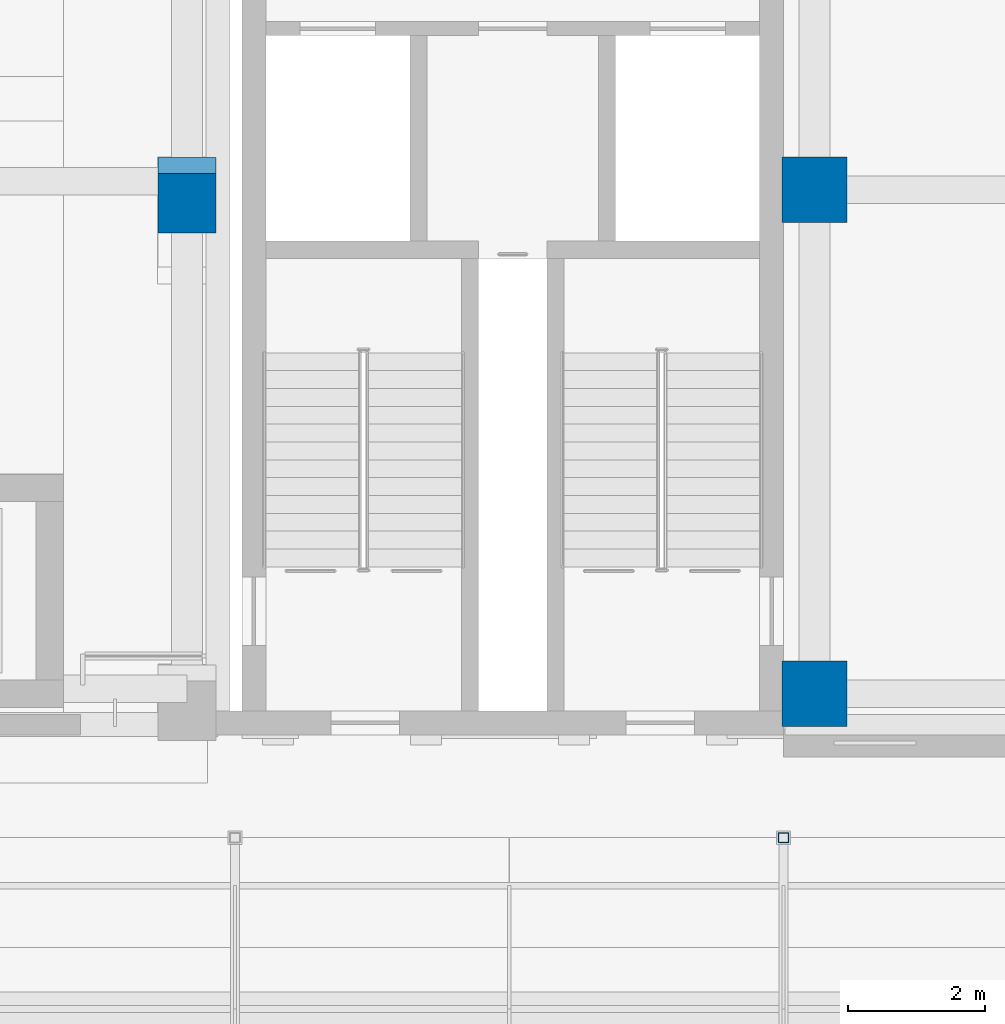
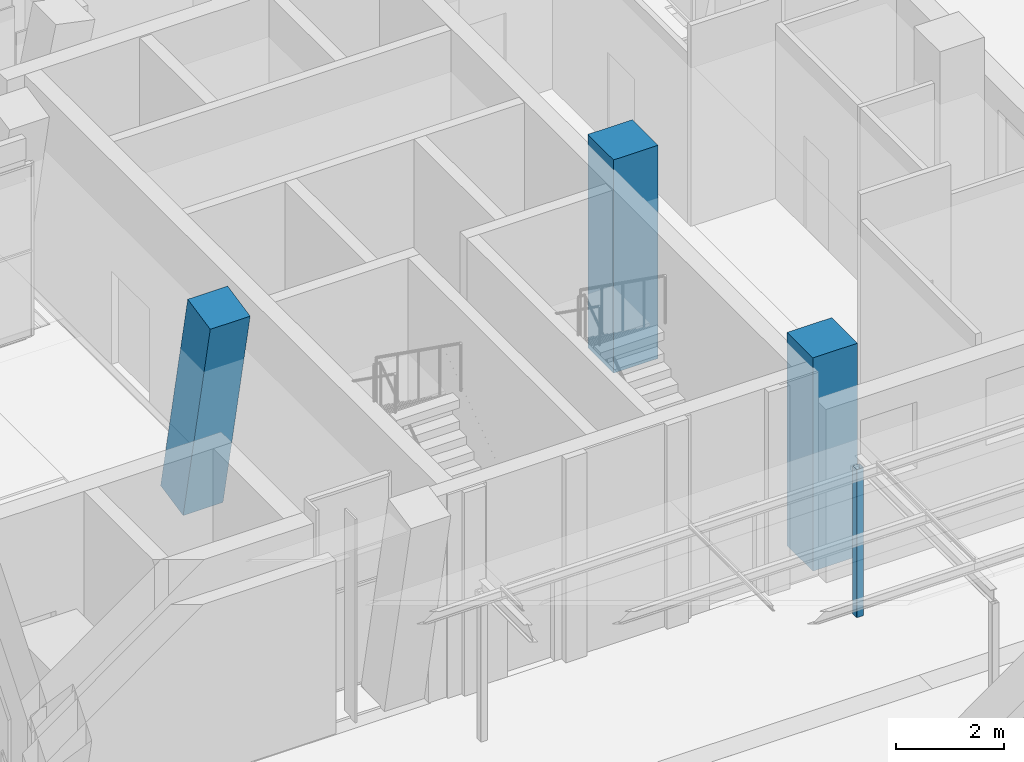
# One storey, part 18 of 144: 4 columns.
"""IFC4 building model written with IfcOpenShell, lengths in metres."""

from ifc_helpers import new_model, si_unit, direction, frame, origin, origin_2d, place, context, subcontext, project, spatial, rectangle, hollow_rectangle, extrude, material, material_profile, profile_set, type_object, element, save


model = new_model("IFC4")

# Units and contexts
model_context = context("Model", 3, precision=1e-05, world=origin(), true_north=direction((0.0, 1.0)))
body_context = subcontext(model_context, "Body", "Model", "MODEL_VIEW")
ifc_project = project(units=[si_unit("LENGTHUNIT", "METRE"), si_unit("AREAUNIT", "SQUARE_METRE"), si_unit("VOLUMEUNIT", "CUBIC_METRE"), si_unit("PLANEANGLEUNIT", "RADIAN"), si_unit("MASSUNIT", "GRAM", prefix="KILO")], contexts=[model_context])

# Site, building, storey
site_placement = place(None, origin())
site = spatial("IfcSite", under=ifc_project, at=site_placement, CompositionType="ELEMENT")
building_placement = place(site_placement, origin())
building = spatial("IfcBuilding", under=site, at=building_placement, Name="Lantern Court Media Centre", CompositionType="ELEMENT")
storey_placement = place(building_placement, origin())
storey = spatial("IfcBuildingStorey", under=building, at=storey_placement, Name="L00", CompositionType="ELEMENT", Elevation=0.0)

# Columns
ifc_material_1 = material(Name="Steel S355J2 (EN 10025-2)", Category="steel")
ifc_material_profile_1 = material_profile(ifc_material_1, hollow_rectangle(XDim=0.14990234375, YDim=0.14990234375, WallThickness=0.00634765625, InnerFilletRadius=0.00634765625, OuterFilletRadius=0.009521484375, at=origin_2d()), Name="Cloister canopy post SHS 150x6.3")
ifc_profile_set_1 = profile_set([ifc_material_profile_1], Name="Steel S355J2 (EN 10025-2)")
column_type_1 = type_object("IfcColumnType", Name="Cloister canopy post SHS 150x6.3", PredefinedType="COLUMN", material=ifc_profile_set_1)
column_1_placement = place(storey_placement, frame((88.0, 46.5, 0.0), z_axis=(0.0, 0.0, 1.0), x_axis=(1.0, 0.0, 0.0)))
element("IfcColumn", 1, at=column_1_placement, inside=storey, type_object=column_type_1, Name="Cloister post 2-3-2", PredefinedType="COLUMN", context=body_context, shape_type="SweptSolid", body=[
    extrude(hollow_rectangle(XDim=0.14990234375, YDim=0.14990234375, WallThickness=0.00634765625, InnerFilletRadius=0.00634765625, OuterFilletRadius=0.009521484375, at=origin_2d()), origin(), (0.0, 0.0, 1.0), 3.330078125),
])
ifc_material_2 = material(Name="Concrete C35", Category="concrete")
ifc_material_profile_2 = material_profile(ifc_material_2, rectangle(XDim=0.85009765625, YDim=0.85009765625, at=origin_2d()), Name="RC 850x850")
ifc_profile_set_2 = profile_set([ifc_material_profile_2], Name="Concrete C35")
column_type_2 = type_object("IfcColumnType", Name="RC COLUMN 850x850", PredefinedType="COLUMN", material=ifc_profile_set_2)
column_2_placement = place(storey_placement, frame((79.300048828125, 56.0, 0.0), z_axis=(0.0, -0.203952265704, 0.978980833987), x_axis=(1.0, 0.0, 0.0)))
element("IfcColumn", 2, at=column_2_placement, inside=storey, type_object=column_type_2, Name="C-S-1-7-L00", PredefinedType="COLUMN", context=body_context, shape_type="SweptSolid", body=[
    extrude(rectangle(XDim=0.85009765625, YDim=0.85009765625, at=origin_2d()), origin(), (0.0, 0.0, 1.0), 4.903076171875),
])
ifc_material_profile_3 = material_profile(ifc_material_2, rectangle(XDim=0.949951171875, YDim=0.949951171875, at=origin_2d()), Name="RC 950x950")
ifc_profile_set_3 = profile_set([ifc_material_profile_3], Name="Concrete C35")
column_type_3 = type_object("IfcColumnType", Name="RC COLUMN 950x950", PredefinedType="COLUMN", material=ifc_profile_set_3)
for number, where, z_axis, x_axis, name in (
    (3, (88.449951171875, 48.60009765625, 0.0), (0.0, 0.0, 1.0), (1.0, 0.0, 0.0), "C-SE-0-L00"),
    (4, (88.449951171875, 55.949951171875, 0.0), (0.0, 0.0, 1.0), (1.0, 0.0, 0.0), "C-SE-1-L00"),
):
    element("IfcColumn", number, at=place(storey_placement, frame(where, z_axis=z_axis, x_axis=x_axis)), inside=storey, type_object=column_type_3, Name=name, PredefinedType="COLUMN", context=body_context, shape_type="SweptSolid", body=[
        extrude(rectangle(XDim=0.949951171875, YDim=0.949951171875, at=origin_2d()), origin(), (0.0, 0.0, 1.0), 4.800048828125),
    ])

save(model, "model.ifc")
